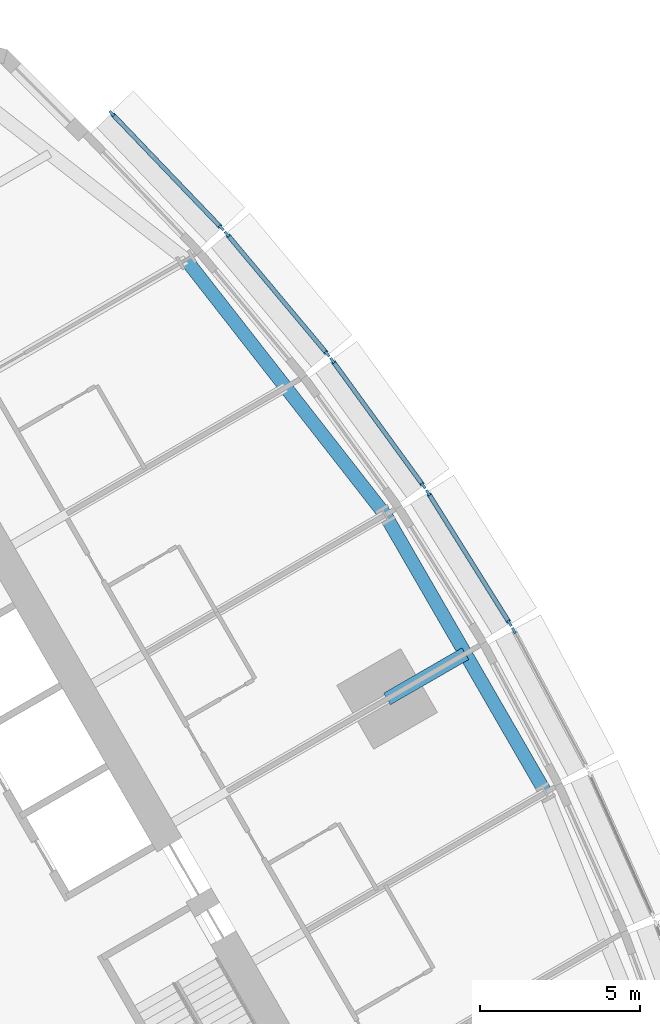
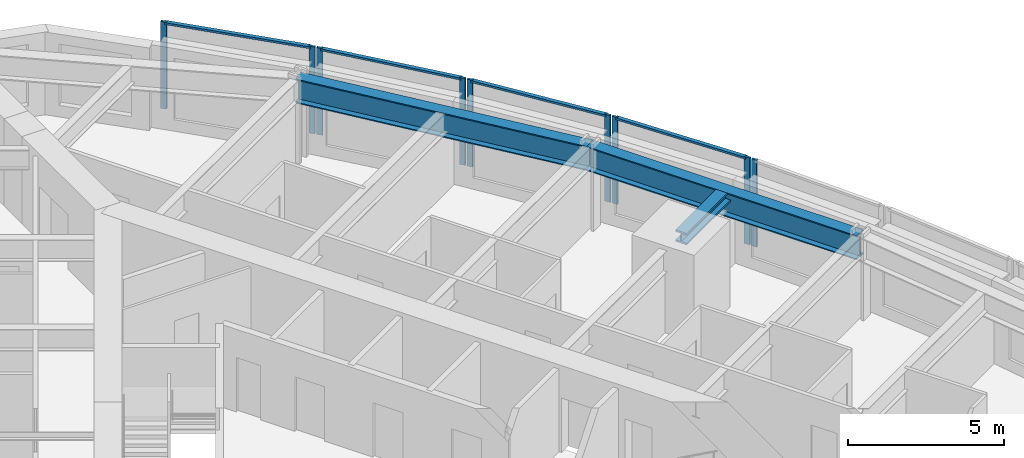
# One storey, part 5 of 14: 13 members, 3 beams, 5 elements without a shape of their own.
"""IFC4 building model written with IfcOpenShell, lengths in metres."""

from ifc_helpers import new_model, si_unit, direction, frame, origin, origin_2d, place, context, subcontext, project, spatial, rectangle, i_section, extrude, material, material_profile, profile_set, type_object, element, aggregate, save


model = new_model("IFC4")

# Units and contexts
model_context = context("Model", 3, precision=1e-05, world=origin(), true_north=direction((0.0, 1.0)))
body_context = subcontext(model_context, "Body", "Model", "MODEL_VIEW")
ifc_project = project(units=[si_unit("LENGTHUNIT", "METRE"), si_unit("AREAUNIT", "SQUARE_METRE"), si_unit("VOLUMEUNIT", "CUBIC_METRE"), si_unit("PLANEANGLEUNIT", "RADIAN"), si_unit("MASSUNIT", "GRAM", prefix="KILO")], contexts=[model_context])

# Site, building, storey
site_placement = place(None, origin())
site = spatial("IfcSite", under=ifc_project, at=site_placement, CompositionType="ELEMENT")
building_placement = place(site_placement, origin())
building = spatial("IfcBuilding", under=site, at=building_placement, Name="Trikona Tower", CompositionType="ELEMENT")
storey_placement = place(building_placement, frame((0.0, 0.0, 135.10009765625)))
storey = spatial("IfcBuildingStorey", under=building, at=storey_placement, Name="L35", CompositionType="ELEMENT", Elevation=135.10009765625)

# Curtain wall, member
ifc_material_1 = material(Name="Aluminium curtain wall system", Category="aluminium")
curtain_wall_type = type_object("IfcCurtainWallType", Name="Curtain wall DS2", PredefinedType="NOTDEFINED", material=ifc_material_1)
curtain_wall_1_placement = place(storey_placement, origin())
curtain_wall_1 = element("IfcCurtainWall", 1, at=curtain_wall_1_placement, inside=storey, type_object=curtain_wall_type, Name="Curtain wall DS2 L35", PredefinedType="NOTDEFINED")
ifc_material_2 = material(Name="Aluminium mullion, pale anodised", Category="aluminium")
ifc_material_profile_1 = material_profile(ifc_material_2, rectangle(XDim=0.080078125, YDim=0.199951171875, at=origin_2d()), Name="MUL-DS2")
ifc_profile_set_1 = profile_set([ifc_material_profile_1], Name="Aluminium mullion, pale anodised")
member_type_1 = type_object("IfcMemberType", Name="Mullion DS2 80x200", PredefinedType="MULLION", material=ifc_profile_set_1)
member_1_placement = place(storey_placement, frame((19.2666015625, 10.9716796875, 0.0), z_axis=(0.0, 0.0, 1.0), x_axis=(-0.882996107343, -0.469380308937, 0.0)))
member_1 = element("IfcMember", 2, at=member_1_placement, type_object=member_type_1, Name="CW-DS2 mullion 2", PredefinedType="MULLION", context=body_context, shape_type="SweptSolid", body=[
    extrude(rectangle(XDim=0.080078125, YDim=0.199951171875, at=origin_2d()), origin(), (0.0, 0.0, 1.0), 3.39990234375),
])
aggregate(curtain_wall_1, [member_1])

# Curtain wall, members
curtain_wall_2_placement = place(storey_placement, origin())
curtain_wall_2 = element("IfcCurtainWall", 3, at=curtain_wall_2_placement, inside=storey, type_object=curtain_wall_type, Name="Curtain wall DS2 L35", PredefinedType="NOTDEFINED")
member_2_placement = place(storey_placement, frame((19.135009765625, 11.199462890625, 0.0), z_axis=(0.0, 0.0, 1.0), x_axis=(-0.847998304006, -0.529998940002, 0.0)))
member_2 = element("IfcMember", 4, at=member_2_placement, type_object=member_type_1, Name="CW-DS2 mullion 1", PredefinedType="MULLION", context=body_context, shape_type="SweptSolid", body=[
    extrude(rectangle(XDim=0.080078125, YDim=0.199951171875, at=origin_2d()), origin(), (0.0, 0.0, 1.0), 3.39990234375),
])
member_3_placement = place(storey_placement, frame((16.589599609375, 15.2724609375, 0.0), z_axis=(0.0, 0.0, 1.0), x_axis=(-0.847998304006, -0.529998940002, 0.0)))
member_3 = element("IfcMember", 5, at=member_3_placement, type_object=member_type_1, Name="CW-DS2 mullion 2", PredefinedType="MULLION", context=body_context, shape_type="SweptSolid", body=[
    extrude(rectangle(XDim=0.080078125, YDim=0.199951171875, at=origin_2d()), origin(), (0.0, 0.0, 1.0), 3.39990234375),
])

curtain_wall_3_placement = place(storey_placement, origin())
curtain_wall_3 = element("IfcCurtainWall", 6, at=curtain_wall_3_placement, inside=storey, type_object=curtain_wall_type, Name="Curtain wall DS2 L35", PredefinedType="NOTDEFINED")
member_4_placement = place(storey_placement, frame((16.442626953125, 15.489990234375, 0.0), z_axis=(0.0, 0.0, 1.0), x_axis=(-0.80908576332, -0.587690588313, 0.0)))
member_4 = element("IfcMember", 7, at=member_4_placement, type_object=member_type_1, Name="CW-DS2 mullion 1", PredefinedType="MULLION", context=body_context, shape_type="SweptSolid", body=[
    extrude(rectangle(XDim=0.080078125, YDim=0.199951171875, at=origin_2d()), origin(), (0.0, 0.0, 1.0), 3.39990234375),
])
member_5_placement = place(storey_placement, frame((13.605712890625, 19.39599609375, 0.0), z_axis=(0.0, 0.0, 1.0), x_axis=(-0.80908576332, -0.587690588313, 0.0)))
member_5 = element("IfcMember", 8, at=member_5_placement, type_object=member_type_1, Name="CW-DS2 mullion 2", PredefinedType="MULLION", context=body_context, shape_type="SweptSolid", body=[
    extrude(rectangle(XDim=0.080078125, YDim=0.199951171875, at=origin_2d()), origin(), (0.0, 0.0, 1.0), 3.39990234375),
])

curtain_wall_4_placement = place(storey_placement, origin())
curtain_wall_4 = element("IfcCurtainWall", 9, at=curtain_wall_4_placement, inside=storey, type_object=curtain_wall_type, Name="Curtain wall DS2 L35", PredefinedType="NOTDEFINED")
member_6_placement = place(storey_placement, frame((13.44482421875, 19.602294921875, 0.0), z_axis=(0.0, 0.0, 1.0), x_axis=(-0.766866678271, -0.641806433248, 0.0)))
member_6 = element("IfcMember", 10, at=member_6_placement, type_object=member_type_1, Name="CW-DS2 mullion 1", PredefinedType="MULLION", context=body_context, shape_type="SweptSolid", body=[
    extrude(rectangle(XDim=0.080078125, YDim=0.199951171875, at=origin_2d()), origin(), (0.0, 0.0, 1.0), 3.39990234375),
])
member_7_placement = place(storey_placement, frame((10.315185546875, 23.34130859375, 0.0), z_axis=(0.0, 0.0, 1.0), x_axis=(-0.766866678271, -0.641806433248, 0.0)))
member_7 = element("IfcMember", 11, at=member_7_placement, type_object=member_type_1, Name="CW-DS2 mullion 2", PredefinedType="MULLION", context=body_context, shape_type="SweptSolid", body=[
    extrude(rectangle(XDim=0.080078125, YDim=0.199951171875, at=origin_2d()), origin(), (0.0, 0.0, 1.0), 3.39990234375),
])

curtain_wall_5_placement = place(storey_placement, origin())
curtain_wall_5 = element("IfcCurtainWall", 12, at=curtain_wall_5_placement, inside=storey, type_object=curtain_wall_type, Name="Curtain wall DS2 L35", PredefinedType="NOTDEFINED")
member_8_placement = place(storey_placement, frame((10.1416015625, 23.535400390625, 0.0), z_axis=(0.0, 0.0, 1.0), x_axis=(-0.722158330767, -0.691727797117, 0.0)))
member_8 = element("IfcMember", 13, at=member_8_placement, type_object=member_type_1, Name="CW-DS2 mullion 1", PredefinedType="MULLION", context=body_context, shape_type="SweptSolid", body=[
    extrude(rectangle(XDim=0.080078125, YDim=0.199951171875, at=origin_2d()), origin(), (0.0, 0.0, 1.0), 3.39990234375),
])
member_9_placement = place(storey_placement, frame((6.718994140625, 27.1083984375, 0.0), z_axis=(0.0, 0.0, 1.0), x_axis=(-0.722158330767, -0.691727797117, 0.0)))
member_9 = element("IfcMember", 14, at=member_9_placement, type_object=member_type_1, Name="CW-DS2 mullion 2", PredefinedType="MULLION", context=body_context, shape_type="SweptSolid", body=[
    extrude(rectangle(XDim=0.080078125, YDim=0.199951171875, at=origin_2d()), origin(), (0.0, 0.0, 1.0), 3.39990234375),
])

# Beams
ifc_material_3 = material(Name="Steel ASTM A992 Grade 50", Category="steel")
ifc_material_profile_2 = material_profile(ifc_material_3, i_section(OverallWidth=0.419189453125, OverallDepth=0.45458984375, WebThickness=0.042236328125, FlangeThickness=0.067626953125, at=origin_2d()), Name="W14X370")
ifc_profile_set_2 = profile_set([ifc_material_profile_2], Name="Steel ASTM A992 Grade 50")
beam_type_1 = type_object("IfcBeamType", Name="Steel beam W14x370 (apex bracket)", PredefinedType="BEAM", material=ifc_profile_set_2)
beam_1_placement = place(storey_placement, frame((15.311767578125, 8.84033203125, 3.007568359375), z_axis=(0.86605005072, 0.499957307824, 0.0), x_axis=(-0.499957307824, 0.86605005072, 0.0)))
element("IfcBeam", 15, at=beam_1_placement, inside=storey, type_object=beam_type_1, Name="Cantilever bracket L36 F2", PredefinedType="BEAM", context=body_context, shape_type="SweptSolid", body=[
    extrude(i_section(OverallWidth=0.419189453125, OverallDepth=0.45458984375, WebThickness=0.042236328125, FlangeThickness=0.067626953125, at=origin_2d()), origin(), (0.0, 0.0, 1.0), 2.819580078125),
])
ifc_material_4 = material(Name="Steel ASTM A992 Grade 50", Category="steel")
ifc_material_profile_3 = material_profile(ifc_material_4, i_section(OverallWidth=0.424072265625, OverallDepth=0.947509765625, WebThickness=0.02392578125, FlangeThickness=0.042724609375, at=origin_2d()), Name="W36X302")
ifc_profile_set_3 = profile_set([ifc_material_profile_3], Name="Steel ASTM A992 Grade 50")
beam_type_2 = type_object("IfcBeamType", Name="Steel beam W36x302 (spandrel)", PredefinedType="SPANDREL", material=ifc_profile_set_3)
beam_2_placement = place(storey_placement, frame((20.253662109375, 5.919921875, 2.76123046875), z_axis=(-0.500004234368, 0.866022959057, 0.0), x_axis=(-0.866022959057, -0.500004234368, 0.0)))
element("IfcBeam", 16, at=beam_2_placement, inside=storey, type_object=beam_type_2, Name="Spandrel beam L36 F2-3", PredefinedType="SPANDREL", context=body_context, shape_type="SweptSolid", body=[
    extrude(i_section(OverallWidth=0.424072265625, OverallDepth=0.947509765625, WebThickness=0.02392578125, FlangeThickness=0.042724609375, at=origin_2d()), origin(), (0.0, 0.0, 1.0), 10.0),
])
beam_3_placement = place(storey_placement, frame((15.253662109375, 14.580078125, 2.76123046875), z_axis=(-0.615232009054, 0.788346101046, 0.0), x_axis=(-0.788346101046, -0.615232009054, 0.0)))
element("IfcBeam", 17, at=beam_3_placement, inside=storey, type_object=beam_type_2, Name="Spandrel beam L36 F2-4", PredefinedType="SPANDREL", context=body_context, shape_type="SweptSolid", body=[
    extrude(i_section(OverallWidth=0.424072265625, OverallDepth=0.947509765625, WebThickness=0.02392578125, FlangeThickness=0.042724609375, at=origin_2d()), origin(), (0.0, 0.0, 1.0), 10.09765625),
])

# Member
ifc_material_5 = material(Name="Aluminium transom, pale anodised", Category="aluminium")
ifc_material_profile_4 = material_profile(ifc_material_5, rectangle(XDim=0.139892578125, YDim=0.080078125, at=origin_2d()), Name="TRN-DS2")
ifc_profile_set_4 = profile_set([ifc_material_profile_4], Name="Aluminium transom, pale anodised")
member_type_2 = type_object("IfcMemberType", Name="Transom DS2 80x140", PredefinedType="USERDEFINED", material=ifc_profile_set_4)
member_10_placement = place(storey_placement, frame((19.114013671875, 11.2333984375, 3.35986328125), z_axis=(-0.530031463794, 0.847977975769, 0.0), x_axis=(-0.847977975769, -0.530031463794, 0.0)))
member_10 = element("IfcMember", 18, at=member_10_placement, type_object=member_type_2, Name="CW-DS2 transom 1.1", ObjectType="TRANSOM", PredefinedType="USERDEFINED", context=body_context, shape_type="SweptSolid", body=[
    extrude(rectangle(XDim=0.139892578125, YDim=0.080078125, at=origin_2d()), origin(), (0.0, 0.0, 1.0), 4.72314453125),
])

aggregate(curtain_wall_2, [member_2, member_3, member_10])

member_11_placement = place(storey_placement, frame((16.419189453125, 15.5224609375, 3.35986328125), z_axis=(-0.587694585883, 0.809082859616, 0.0), x_axis=(-0.809082859616, -0.587694585883, 0.0)))
member_11 = element("IfcMember", 19, at=member_11_placement, type_object=member_type_2, Name="CW-DS2 transom 1.1", ObjectType="TRANSOM", PredefinedType="USERDEFINED", context=body_context, shape_type="SweptSolid", body=[
    extrude(rectangle(XDim=0.139892578125, YDim=0.080078125, at=origin_2d()), origin(), (0.0, 0.0, 1.0), 4.747314453125),
])

aggregate(curtain_wall_3, [member_4, member_5, member_11])

member_12_placement = place(storey_placement, frame((13.4189453125, 19.6328125, 3.35986328125), z_axis=(-0.641770294892, 0.766896921753, 0.0), x_axis=(-0.766896921753, -0.641770294892, 0.0)))
member_12 = element("IfcMember", 20, at=member_12_placement, type_object=member_type_2, Name="CW-DS2 transom 1.1", ObjectType="TRANSOM", PredefinedType="USERDEFINED", context=body_context, shape_type="SweptSolid", body=[
    extrude(rectangle(XDim=0.139892578125, YDim=0.080078125, at=origin_2d()), origin(), (0.0, 0.0, 1.0), 4.7958984375),
])

aggregate(curtain_wall_4, [member_6, member_7, member_12])

member_13_placement = place(storey_placement, frame((10.114013671875, 23.564208984375, 3.35986328125), z_axis=(-0.691721246785, 0.722164605022, 0.0), x_axis=(-0.722164605022, -0.691721246785, 0.0)))
member_13 = element("IfcMember", 21, at=member_13_placement, type_object=member_type_2, Name="CW-DS2 transom 1.1", ObjectType="TRANSOM", PredefinedType="USERDEFINED", context=body_context, shape_type="SweptSolid", body=[
    extrude(rectangle(XDim=0.139892578125, YDim=0.080078125, at=origin_2d()), origin(), (0.0, 0.0, 1.0), 4.867919921875),
])

aggregate(curtain_wall_5, [member_8, member_9, member_13])

save(model, "model.ifc")
